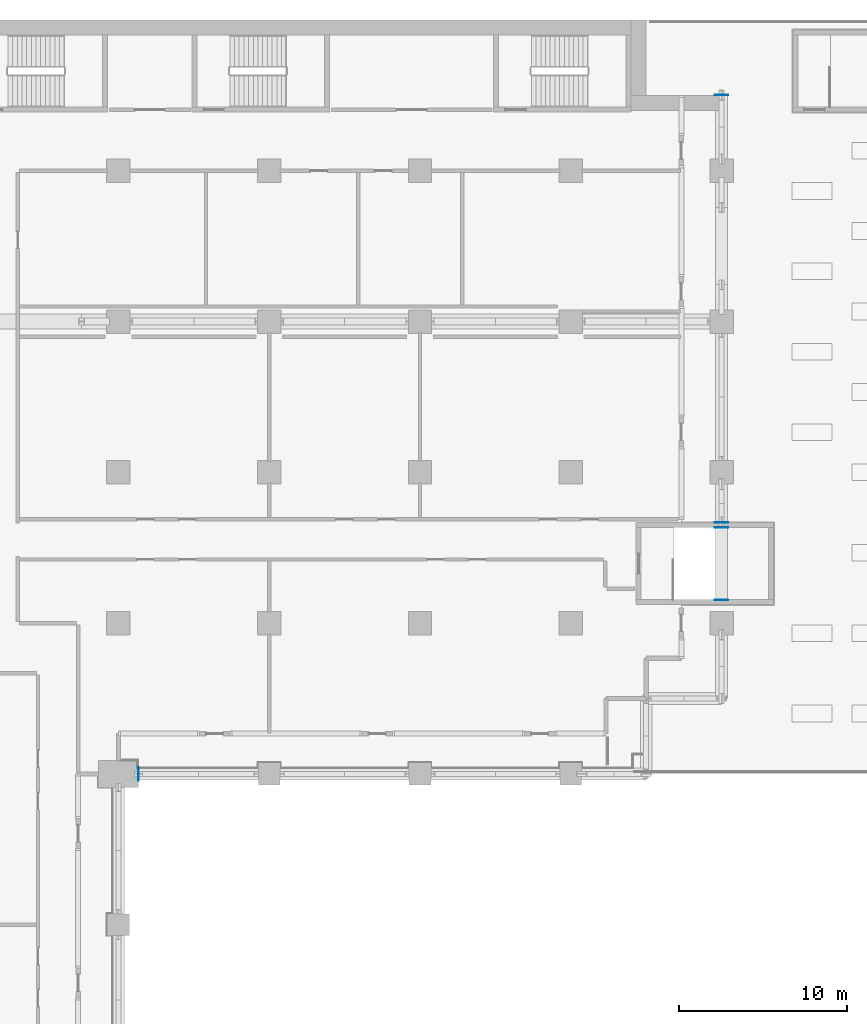
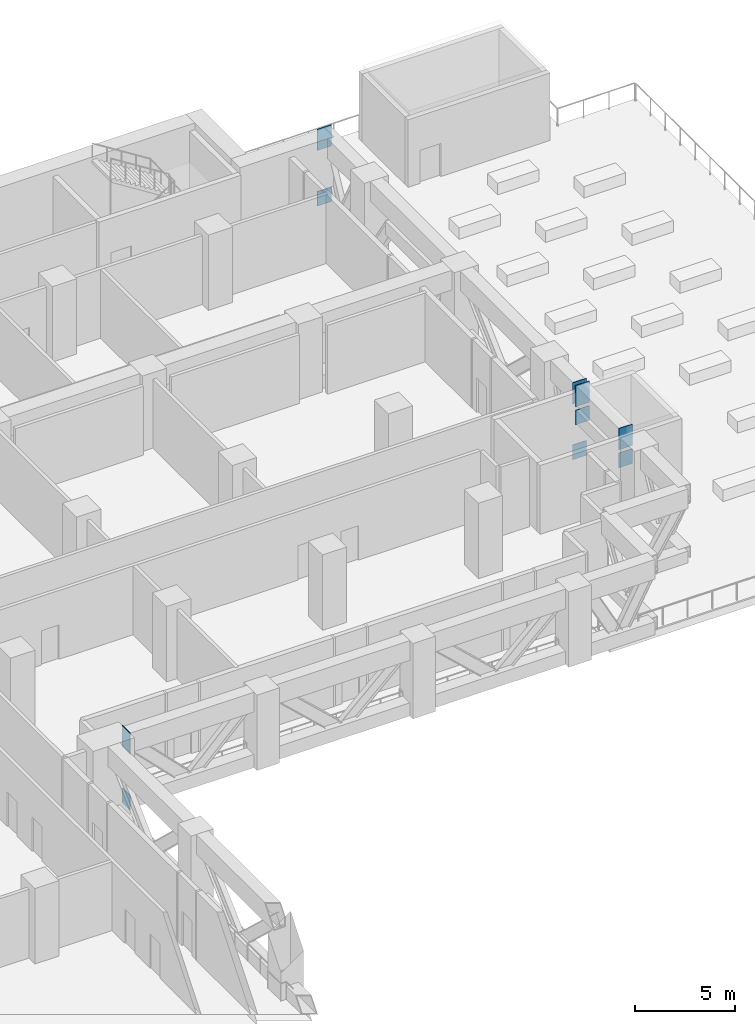
# One storey, part 19 of 24: 10 discrete accessories.
"""IFC4 building model written with IfcOpenShell, lengths in metres."""

import ifcopenshell
import ifcopenshell.guid

model = None  # the IFC model being written
_history = None  # IfcOwnerHistory: only IFC2X3 demands one
_inside = {}  # id of a spatial element -> (the spatial element, [elements in it])
_under = {}  # id of a project, library or spatial element -> (it, [spatial elements below it])
_declared = {}  # id of a project -> (the project, [libraries it declares])
_typed = {}  # id of a type object -> (the type object, [elements of that type])
_made_of = {}  # id of a material, layer set ... -> (it, [elements and type objects made of it])


def new_model(schema):
    """Start an empty IFC model of exactly this schema.

    Asked for "IFC4X3", IfcOpenShell would pick the latest addendum, in which some entities
    have other attributes; the version numbers below select the first issue.
    IFC2X3 requires an IfcOwnerHistory on every rooted entity: one is made here for all.
    """
    global model, _history
    if schema == "IFC4X3":
        model = ifcopenshell.file(schema_version=(4, 3, 0, 0))
    else:
        model = ifcopenshell.file(schema=schema)
    _inside.clear()
    _under.clear()
    _declared.clear()
    _typed.clear()
    _made_of.clear()
    _history = None
    if model.schema == "IFC2X3":
        org = make("IfcOrganization", Name="unknown")
        user = make(
            "IfcPersonAndOrganization",
            ThePerson=make("IfcPerson", FamilyName="unknown"),
            TheOrganization=org,
        )
        app = make(
            "IfcApplication",
            ApplicationDeveloper=org,
            Version="unknown",
            ApplicationFullName="unknown",
            ApplicationIdentifier="unknown",
        )
        _history = make(
            "IfcOwnerHistory",
            OwningUser=user,
            OwningApplication=app,
            ChangeAction="ADDED",
            CreationDate=0,
        )
    return model


def make(cls, **values):
    """One entity of the class cls with the attributes given. An attribute that is None is left unset."""
    return model.create_entity(
        cls, **{name: value for name, value in values.items() if value is not None}
    )


def rooted(cls, **values):
    """An entity with a GlobalId (a new one), such as an element, a storey or a relation."""
    return make(cls, GlobalId=ifcopenshell.guid.new(), OwnerHistory=_history, **values)


def si_unit(unit_type, name, prefix=None):
    """IfcSIUnit, for example si_unit("LENGTHUNIT", "METRE", prefix="MILLI")."""
    return make("IfcSIUnit", UnitType=unit_type, Prefix=prefix, Name=name)


def assignment(units):
    """IfcUnitAssignment: the units of a project."""
    return None if units is None else make("IfcUnitAssignment", Units=units)


def point(xyz):
    """IfcCartesianPoint."""
    return None if xyz is None else make("IfcCartesianPoint", Coordinates=xyz)


def direction(xyz):
    """IfcDirection."""
    return None if xyz is None else make("IfcDirection", DirectionRatios=xyz)


def frame(location, z_axis=None, x_axis=None):
    """IfcAxis2Placement3D, a coordinate frame: its origin and axes. An axis left out is left unset."""
    return make(
        "IfcAxis2Placement3D",
        Location=point(location),
        Axis=direction(z_axis),
        RefDirection=direction(x_axis),
    )


def frame_2d(location, x_axis=None):
    """IfcAxis2Placement2D, a coordinate frame in the plane: its origin and x axis."""
    return make(
        "IfcAxis2Placement2D", Location=point(location), RefDirection=direction(x_axis)
    )


def origin():
    """The frame at (0, 0, 0) with its axes left unset."""
    return frame((0.0, 0.0, 0.0))


def origin_2d():
    """The frame at (0, 0) in the plane with its x axis left unset."""
    return frame_2d((0.0, 0.0))


def place(relative_to, where):
    """IfcLocalPlacement: puts the frame where relative to a parent placement (None: the world)."""
    return make(
        "IfcLocalPlacement", PlacementRelTo=relative_to, RelativePlacement=where
    )


def context(
    kind, dimensions, precision=None, world=None, true_north=None, identifier=None
):
    """IfcGeometricRepresentationContext, for example the 3D "Model" context."""
    return make(
        "IfcGeometricRepresentationContext",
        ContextIdentifier=identifier,
        ContextType=kind,
        CoordinateSpaceDimension=dimensions,
        Precision=precision,
        WorldCoordinateSystem=world,
        TrueNorth=true_north,
    )


def subcontext(parent, identifier, kind, view, scale=None):
    """IfcGeometricRepresentationSubContext, for example "Body" below "Model"."""
    return make(
        "IfcGeometricRepresentationSubContext",
        ContextIdentifier=identifier,
        ContextType=kind,
        ParentContext=parent,
        TargetScale=scale,
        TargetView=view,
    )


def project(units=None, contexts=None):
    """IfcProject with its units and contexts."""
    return rooted(
        "IfcProject",
        Name="project",
        RepresentationContexts=contexts,
        UnitsInContext=assignment(units),
    )


def spatial(cls, under=None, at=None, **own):
    """A site, building, storey or space (cls), placed at a placement, below another one or the project."""
    s = rooted(cls, ObjectPlacement=at, **own)
    if under is not None:
        _under.setdefault(under.id(), (under, []))[1].append(s)
    return s


def profile(cls, at=None, kind="AREA", **sizes):
    """A parametric profile (cls). Its sizes go by their IFC names, for example OverallWidth=200.0."""
    return make(cls, ProfileType=kind, Position=at, **sizes)


def rectangle(**sizes):
    """IfcRectangleProfileDef."""
    return profile("IfcRectangleProfileDef", **sizes)


def extrude(swept, where, along, depth):
    """IfcExtrudedAreaSolid: the profile swept, set in the frame where, extruded along a direction by depth."""
    return make(
        "IfcExtrudedAreaSolid",
        SweptArea=swept,
        Position=where,
        ExtrudedDirection=direction(along),
        Depth=depth,
    )


def shape(context_of_items, identifier, shape_type, items):
    """IfcShapeRepresentation: the items that make up one representation, for example the "Body"."""
    return make(
        "IfcShapeRepresentation",
        ContextOfItems=context_of_items,
        RepresentationIdentifier=identifier,
        RepresentationType=shape_type,
        Items=items,
    )


def material(Name=None, Category=None):
    """IfcMaterial."""
    return make("IfcMaterial", Name=Name, Category=Category)


def layer(
    of_material, thickness, ventilated=None, Name=None, Category=None, Priority=None
):
    """IfcMaterialLayer: one layer of a wall or slab, of a material (None: an air gap)."""
    return make(
        "IfcMaterialLayer",
        Material=of_material,
        LayerThickness=thickness,
        IsVentilated=ventilated,
        Name=Name,
        Category=Category,
        Priority=Priority,
    )


def layer_set(layers, Name=None):
    """IfcMaterialLayerSet."""
    return make("IfcMaterialLayerSet", MaterialLayers=layers, LayerSetName=Name)


def made_of(thing, what):
    """Note that an element or type object is made of a material, layer set ...; save() writes the relation."""
    if what is not None:
        _made_of.setdefault(what.id(), (what, []))[1].append(thing)
    return thing


def type_object(cls, material=None, **own):
    """A type object (cls), such as IfcWallType, which elements share."""
    return made_of(rooted(cls, **own), material)


def element(
    cls,
    number,
    at=None,
    inside=None,
    cuts=None,
    type_object=None,
    material=None,
    context=None,
    identifier="Body",
    shape_type=None,
    held_by="IfcProductDefinitionShape",
    body=None,
    shapes=None,
    **own,
):
    """One element of the class cls, such as IfcWall. Its Tag is "e" and its number.

    at: its placement. inside: the storey or other place that contains it. cuts: it is an
    opening in that element (IfcRelVoidsElement). A single representation is given by context,
    identifier, shape_type and body (its items); several are given by shapes. held_by: the class
    of the entity that holds the representations. save() writes the other relations.
    """
    e = rooted(cls, Tag="e%d" % number, ObjectPlacement=at, **own)
    if body is not None:
        shapes = [shape(context, identifier, shape_type, body)]
    if shapes is not None:
        e.Representation = make(held_by, Representations=shapes)
    if inside is not None:
        _inside.setdefault(inside.id(), (inside, []))[1].append(e)
    if cuts is not None:
        rooted(
            "IfcRelVoidsElement", RelatingBuildingElement=cuts, RelatedOpeningElement=e
        )
    if type_object is not None:
        _typed.setdefault(type_object.id(), (type_object, []))[1].append(e)
    return made_of(e, material)


def aggregate(whole, parts):
    """IfcRelAggregates: a whole, such as a stair, and the parts it consists of."""
    return rooted("IfcRelAggregates", RelatingObject=whole, RelatedObjects=parts)


def save(model, path):
    """Write the relations noted so far, then the file.

    IfcRelAggregates (storeys below a building ...), IfcRelContainedInSpatialStructure (elements
    in a storey), IfcRelDefinesByType, IfcRelAssociatesMaterial and IfcRelDeclares: one each for
    every whole, place, type object, material and project.
    """
    for whole, parts in _under.values():
        aggregate(whole, parts)
    for where, things in _inside.values():
        rooted(
            "IfcRelContainedInSpatialStructure",
            RelatedElements=things,
            RelatingStructure=where,
        )
    for kind, things in _typed.values():
        rooted("IfcRelDefinesByType", RelatedObjects=things, RelatingType=kind)
    for what, things in _made_of.values():
        rooted("IfcRelAssociatesMaterial", RelatedObjects=things, RelatingMaterial=what)
    for by, libraries in _declared.values():
        rooted("IfcRelDeclares", RelatingContext=by, RelatedDefinitions=libraries)
    model.write(path)


model = new_model("IFC4")

# Units and contexts
model_context = context("Model", 3, precision=1e-05, world=origin(), true_north=direction((0.0, 1.0)))
body_context = subcontext(model_context, "Body", "Model", "MODEL_VIEW")
ifc_project = project(units=[si_unit("LENGTHUNIT", "METRE"), si_unit("AREAUNIT", "SQUARE_METRE"), si_unit("VOLUMEUNIT", "CUBIC_METRE"), si_unit("PLANEANGLEUNIT", "RADIAN"), si_unit("MASSUNIT", "GRAM", prefix="KILO")], contexts=[model_context])

# Site, building, storey
site_placement = place(None, origin())
site = spatial("IfcSite", under=ifc_project, at=site_placement, CompositionType="ELEMENT")
building_placement = place(site_placement, origin())
building = spatial("IfcBuilding", under=site, at=building_placement, Name="Hunhe Ridgeline Campus", CompositionType="ELEMENT")
storey_placement = place(building_placement, frame((0.0, 0.0, 80.199951171875)))
storey = spatial("IfcBuildingStorey", under=building, at=storey_placement, Name="L19", CompositionType="ELEMENT", Elevation=80.199951171875)

# Discrete accessories
ifc_material = material(Name="Steel Q420", Category="steel")
ifc_layer_1 = layer(ifc_material, 0.030029296875)
ifc_layer_set_1 = layer_set([ifc_layer_1], Name="Gusset plate 800x1300x30 Steel Q420")
discrete_accessory_type_1 = type_object("IfcDiscreteAccessoryType", Name="Gusset plate 800x1300x30 Steel Q420", PredefinedType="BRACKET", material=ifc_layer_set_1)
for number, where, z_axis, x_axis, name in (
    (1, (46.18505859375, 54.0, 3.35009765625), (0.0, 0.0, 1.0), (-1.0, 0.0, 0.0), "Gusset plate BT1 L19 35"),
    (2, (81.0, 64.385009765625, 3.35009765625), (0.0, 0.0, 1.0), (0.0, -1.0, 0.0), "Gusset plate BT1 L19 37"),
    (3, (81.0, 68.715087890625, 3.35009765625), (0.0, 0.0, 1.0), (0.0, 1.0, 0.0), "Gusset plate BT1 L19 39"),
    (4, (81.0, 68.9951171875, 3.35009765625), (0.0, 0.0, 1.0), (0.0, -1.0, 0.0), "Gusset plate BT1 L19 41"),
    (5, (81.0, 94.514892578125, 3.35009765625), (0.0, 0.0, 1.0), (0.0, 1.0, 0.0), "Gusset plate BT1 L19 43"),
):
    element("IfcDiscreteAccessory", number, at=place(storey_placement, frame(where, z_axis=z_axis, x_axis=x_axis)), inside=storey, type_object=discrete_accessory_type_1, Name=name, PredefinedType="BRACKET", context=body_context, shape_type="SweptSolid", body=[
        extrude(rectangle(XDim=0.030029296875, YDim=0.800048828125, at=origin_2d()), origin(), (0.0, 0.0, 1.0), 1.300048828125),
    ])
ifc_layer_2 = layer(ifc_material, 0.030029296875)
ifc_layer_set_2 = layer_set([ifc_layer_2], Name="Gusset plate 800x900x30 Steel Q420")
discrete_accessory_type_2 = type_object("IfcDiscreteAccessoryType", Name="Gusset plate 800x900x30 Steel Q420", PredefinedType="BRACKET", material=ifc_layer_set_2)
for number, where, z_axis, x_axis, name in (
    (6, (46.18505859375, 54.0, -0.0498046875), (0.0, 0.0, 1.0), (-1.0, 0.0, 0.0), "Gusset plate BT1 L19 36"),
    (7, (81.0, 64.385009765625, 2.25), (0.0, 0.0, 1.0), (0.0, -1.0, 0.0), "Gusset plate BT1 L19 38"),
    (8, (81.0, 68.715087890625, 2.25), (0.0, 0.0, 1.0), (0.0, 1.0, 0.0), "Gusset plate BT1 L19 40"),
    (9, (81.0, 68.9951171875, -0.0498046875), (0.0, 0.0, 1.0), (0.0, -1.0, 0.0), "Gusset plate BT1 L19 42"),
    (10, (81.0, 94.514892578125, -0.0498046875), (0.0, 0.0, 1.0), (0.0, 1.0, 0.0), "Gusset plate BT1 L19 44"),
):
    element("IfcDiscreteAccessory", number, at=place(storey_placement, frame(where, z_axis=z_axis, x_axis=x_axis)), inside=storey, type_object=discrete_accessory_type_2, Name=name, PredefinedType="BRACKET", context=body_context, shape_type="SweptSolid", body=[
        extrude(rectangle(XDim=0.030029296875, YDim=0.800048828125, at=origin_2d()), origin(), (0.0, 0.0, 1.0), 0.89990234375),
    ])

save(model, "model.ifc")
